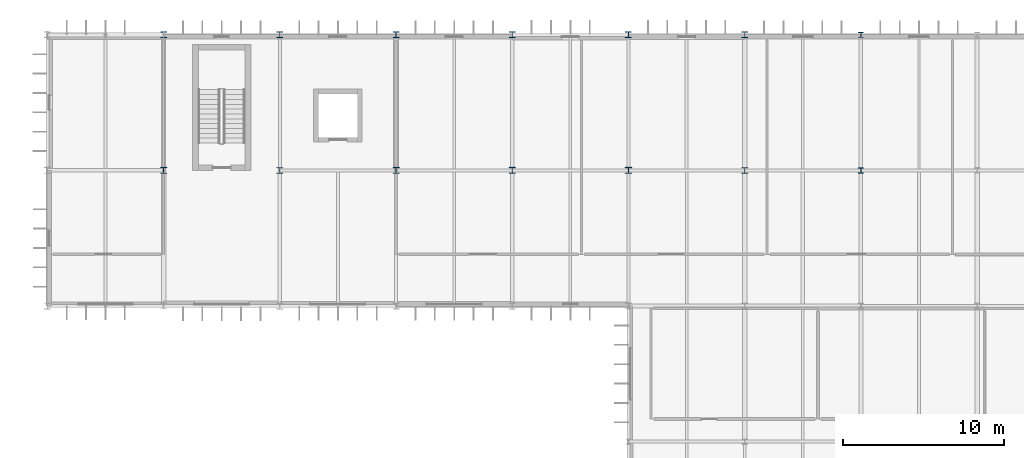
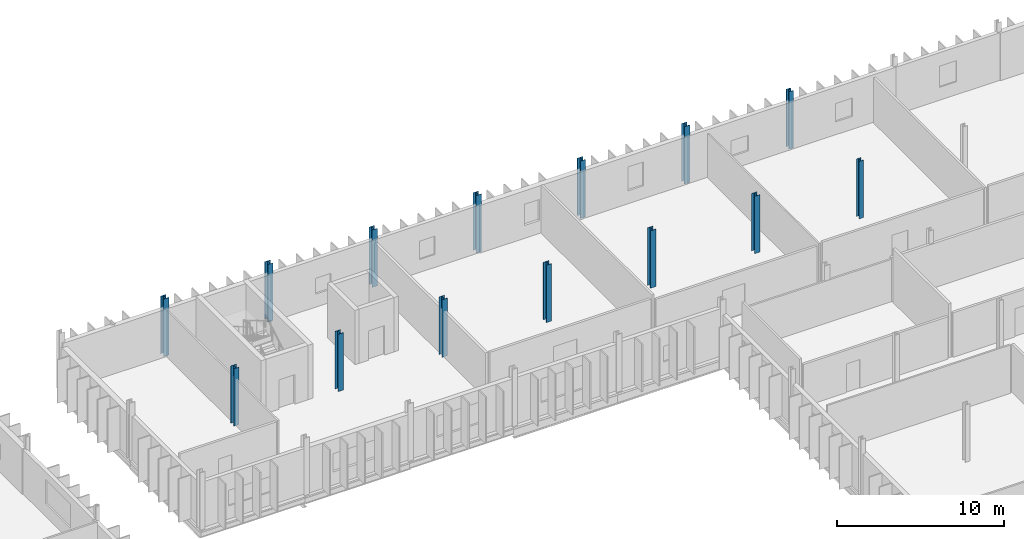
# One storey, part 19 of 119: 14 columns.
"""IFC4 building model written with IfcOpenShell, lengths in metres."""

from ifc_helpers import new_model, si_unit, direction, frame, origin, origin_2d, place, context, subcontext, project, spatial, i_section, extrude, material, material_profile, profile_set, type_object, element, save


model = new_model("IFC4")

# Units and contexts
model_context = context("Model", 3, precision=1e-05, world=origin(), true_north=direction((0.0, 1.0)))
body_context = subcontext(model_context, "Body", "Model", "MODEL_VIEW")
ifc_project = project(units=[si_unit("LENGTHUNIT", "METRE"), si_unit("AREAUNIT", "SQUARE_METRE"), si_unit("VOLUMEUNIT", "CUBIC_METRE"), si_unit("PLANEANGLEUNIT", "RADIAN"), si_unit("MASSUNIT", "GRAM", prefix="KILO")], contexts=[model_context])

# Site, building, storey
site_placement = place(None, origin())
site = spatial("IfcSite", under=ifc_project, at=site_placement, CompositionType="ELEMENT")
building_placement = place(site_placement, origin())
building = spatial("IfcBuilding", under=site, at=building_placement, Name="Qelthora Terrace Specialist Clinic", CompositionType="ELEMENT")
storey_placement = place(building_placement, frame((0.0, 0.0, 4.800048828125)))
storey = spatial("IfcBuildingStorey", under=building, at=storey_placement, Name="L01", CompositionType="ELEMENT", Elevation=4.800048828125)

# Columns
ifc_material = material(Name="Steel S355", Category="steel")
ifc_material_profile_1 = material_profile(ifc_material, i_section(OverallWidth=0.30810546875, OverallDepth=0.318115234375, WebThickness=0.01318359375, FlangeThickness=0.0205078125, FilletRadius=0.01611328125, at=origin_2d()), Name="W310X129")
ifc_profile_set_1 = profile_set([ifc_material_profile_1], Name="Steel S355")
column_type_1 = type_object("IfcColumnType", Name="COL-W310X129", PredefinedType="COLUMN", material=ifc_profile_set_1)
column_1_placement = place(storey_placement, frame((108.0, 100.800048828125, 0.0), z_axis=(0.0, 0.0, 1.0), x_axis=(1.0, 0.0, 0.0)))
element("IfcColumn", 1, at=column_1_placement, inside=storey, type_object=column_type_1, Name="Column L01-187", PredefinedType="COLUMN", context=body_context, shape_type="SweptSolid", body=[
    extrude(i_section(OverallWidth=0.30810546875, OverallDepth=0.318115234375, WebThickness=0.01318359375, FlangeThickness=0.0205078125, FilletRadius=0.01611328125, at=origin_2d()), origin(), (0.0, 0.0, 1.0), 4.199951171875),
])
ifc_material_profile_2 = material_profile(ifc_material, i_section(OverallWidth=0.30908203125, OverallDepth=0.322998046875, WebThickness=0.013916015625, FlangeThickness=0.02294921875, FilletRadius=0.01611328125, at=origin_2d()), Name="W310X143")
ifc_profile_set_2 = profile_set([ifc_material_profile_2], Name="Steel S355")
column_type_2 = type_object("IfcColumnType", Name="COL-W310X143", PredefinedType="COLUMN", material=ifc_profile_set_2)
column_2_placement = place(storey_placement, frame((108.0, 109.199951171875, 0.0), z_axis=(0.0, 0.0, 1.0), x_axis=(1.0, 0.0, 0.0)))
element("IfcColumn", 2, at=column_2_placement, inside=storey, type_object=column_type_2, Name="Column L01-188", PredefinedType="COLUMN", context=body_context, shape_type="SweptSolid", body=[
    extrude(i_section(OverallWidth=0.30908203125, OverallDepth=0.322998046875, WebThickness=0.013916015625, FlangeThickness=0.02294921875, FilletRadius=0.01611328125, at=origin_2d()), origin(), (0.0, 0.0, 1.0), 4.199951171875),
])
ifc_material_profile_3 = material_profile(ifc_material, i_section(OverallWidth=0.37109375, OverallDepth=0.364013671875, WebThickness=0.01318359375, FlangeThickness=0.021728515625, FilletRadius=0.02001953125, at=origin_2d()), Name="W360X162")
ifc_profile_set_3 = profile_set([ifc_material_profile_3], Name="Steel S355")
column_type_3 = type_object("IfcColumnType", Name="COL-W360X162", PredefinedType="COLUMN", material=ifc_profile_set_3)
for number, where, z_axis, x_axis, name in (
    (3, (72.0, 100.800048828125, 0.0), (0.0, 0.0, 1.0), (1.0, 0.0, 0.0), "Column L01-128"),
    (4, (79.199951171875, 109.199951171875, 0.0), (0.0, 0.0, 1.0), (1.0, 0.0, 0.0), "Column L01-137"),
    (5, (86.39990234375, 109.199951171875, 0.0), (0.0, 0.0, 1.0), (1.0, 0.0, 0.0), "Column L01-146"),
    (6, (100.800048828125, 100.800048828125, 0.0), (0.0, 0.0, 1.0), (1.0, 0.0, 0.0), "Column L01-173"),
):
    element("IfcColumn", number, at=place(storey_placement, frame(where, z_axis=z_axis, x_axis=x_axis)), inside=storey, type_object=column_type_3, Name=name, PredefinedType="COLUMN", context=body_context, shape_type="SweptSolid", body=[
        extrude(i_section(OverallWidth=0.37109375, OverallDepth=0.364013671875, WebThickness=0.01318359375, FlangeThickness=0.021728515625, FilletRadius=0.02001953125, at=origin_2d()), origin(), (0.0, 0.0, 1.0), 4.199951171875),
    ])
ifc_material_profile_4 = material_profile(ifc_material, i_section(OverallWidth=0.373046875, OverallDepth=0.367919921875, WebThickness=0.014892578125, FlangeThickness=0.02392578125, FilletRadius=0.02001953125, at=origin_2d()), Name="W360X179")
ifc_profile_set_4 = profile_set([ifc_material_profile_4], Name="Steel S355")
column_type_4 = type_object("IfcColumnType", Name="COL-W360X179", PredefinedType="COLUMN", material=ifc_profile_set_4)
for number, where, z_axis, x_axis, name in (
    (7, (64.800048828125, 109.199951171875, 0.0), (0.0, 0.0, 1.0), (1.0, 0.0, 0.0), "Column L01-121"),
    (8, (79.199951171875, 100.800048828125, 0.0), (0.0, 0.0, 1.0), (1.0, 0.0, 0.0), "Column L01-136"),
    (9, (86.39990234375, 100.800048828125, 0.0), (0.0, 0.0, 1.0), (1.0, 0.0, 0.0), "Column L01-145"),
    (10, (93.60009765625, 109.199951171875, 0.0), (0.0, 0.0, 1.0), (1.0, 0.0, 0.0), "Column L01-160"),
):
    element("IfcColumn", number, at=place(storey_placement, frame(where, z_axis=z_axis, x_axis=x_axis)), inside=storey, type_object=column_type_4, Name=name, PredefinedType="COLUMN", context=body_context, shape_type="SweptSolid", body=[
        extrude(i_section(OverallWidth=0.373046875, OverallDepth=0.367919921875, WebThickness=0.014892578125, FlangeThickness=0.02392578125, FilletRadius=0.02001953125, at=origin_2d()), origin(), (0.0, 0.0, 1.0), 4.199951171875),
    ])
ifc_material_profile_5 = material_profile(ifc_material, i_section(OverallWidth=0.3740234375, OverallDepth=0.3720703125, WebThickness=0.016357421875, FlangeThickness=0.026123046875, FilletRadius=0.02001953125, at=origin_2d()), Name="W360X196")
ifc_profile_set_5 = profile_set([ifc_material_profile_5], Name="Steel S355")
column_type_5 = type_object("IfcColumnType", Name="COL-W360X196", PredefinedType="COLUMN", material=ifc_profile_set_5)
for number, where, z_axis, x_axis, name in (
    (11, (64.800048828125, 100.800048828125, 0.0), (0.0, 0.0, 1.0), (1.0, 0.0, 0.0), "Column L01-120"),
    (12, (72.0, 109.199951171875, 0.0), (0.0, 0.0, 1.0), (1.0, 0.0, 0.0), "Column L01-129"),
    (13, (93.60009765625, 100.800048828125, 0.0), (0.0, 0.0, 1.0), (1.0, 0.0, 0.0), "Column L01-159"),
    (14, (100.800048828125, 109.199951171875, 0.0), (0.0, 0.0, 1.0), (1.0, 0.0, 0.0), "Column L01-174"),
):
    element("IfcColumn", number, at=place(storey_placement, frame(where, z_axis=z_axis, x_axis=x_axis)), inside=storey, type_object=column_type_5, Name=name, PredefinedType="COLUMN", context=body_context, shape_type="SweptSolid", body=[
        extrude(i_section(OverallWidth=0.3740234375, OverallDepth=0.3720703125, WebThickness=0.016357421875, FlangeThickness=0.026123046875, FilletRadius=0.02001953125, at=origin_2d()), origin(), (0.0, 0.0, 1.0), 4.199951171875),
    ])

save(model, "model.ifc")
